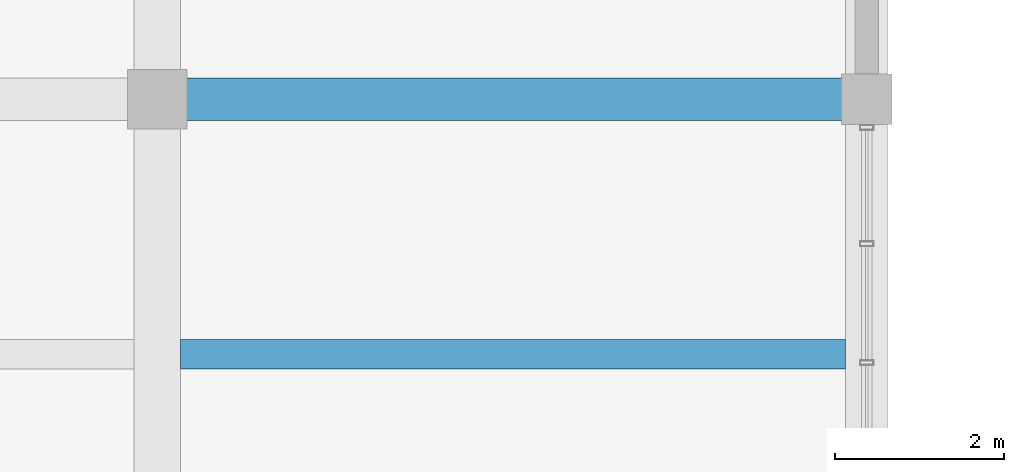
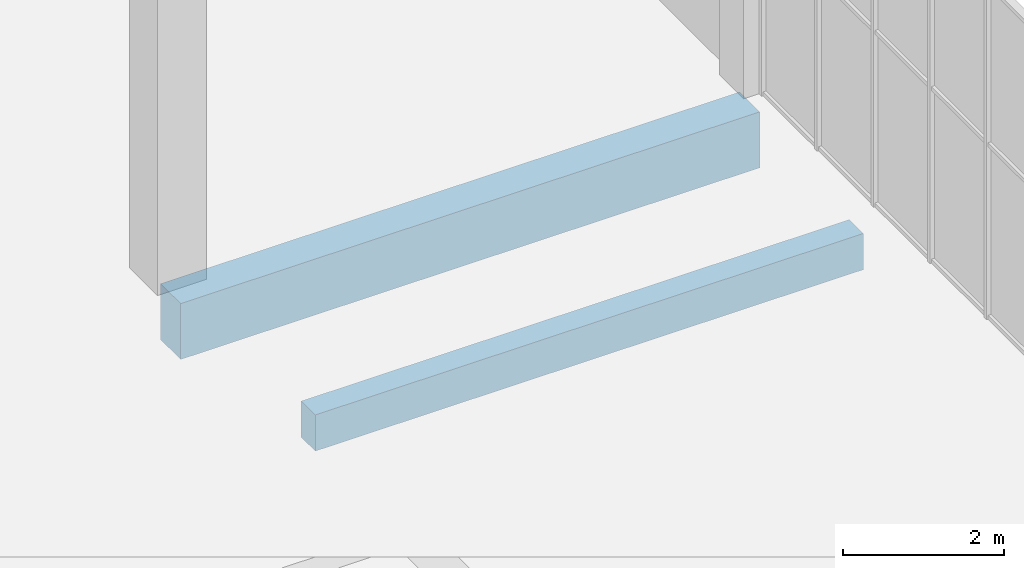
# One storey, part 17 of 132: 2 beams.
"""IFC4 building model written with IfcOpenShell, lengths in metres."""

from ifc_helpers import new_model, si_unit, direction, frame, origin, origin_2d, place, context, subcontext, project, spatial, rectangle, extrude, material, material_profile, profile_set, type_object, element, save


model = new_model("IFC4")

# Units and contexts
model_context = context("Model", 3, precision=1e-05, world=origin(), true_north=direction((0.0, 1.0)))
body_context = subcontext(model_context, "Body", "Model", "MODEL_VIEW")
ifc_project = project(units=[si_unit("LENGTHUNIT", "METRE"), si_unit("AREAUNIT", "SQUARE_METRE"), si_unit("VOLUMEUNIT", "CUBIC_METRE"), si_unit("PLANEANGLEUNIT", "RADIAN"), si_unit("MASSUNIT", "GRAM", prefix="KILO")], contexts=[model_context])

# Site, building, storey
site_placement = place(None, origin())
site = spatial("IfcSite", under=ifc_project, at=site_placement, CompositionType="ELEMENT")
building_placement = place(site_placement, origin())
building = spatial("IfcBuilding", under=site, at=building_placement, Name="Khurvash Pelagic Aquarium", CompositionType="ELEMENT")
storey_placement = place(building_placement, frame((0.0, 0.0, 5.39990234375)))
storey = spatial("IfcBuildingStorey", under=building, at=storey_placement, Name="L01", CompositionType="ELEMENT", Elevation=5.39990234375)

# Beams
ifc_material_1 = material(Name="Concrete C40/50", Category="concrete")
ifc_material_profile_1 = material_profile(ifc_material_1, rectangle(XDim=0.5, YDim=0.85009765625, at=origin_2d()), Name="RC500X850")
ifc_profile_set_1 = profile_set([ifc_material_profile_1], Name="Concrete C40/50")
beam_type_1 = type_object("IfcBeamType", Name="BM-03", PredefinedType="BEAM", material=ifc_profile_set_1)
beam_1_placement = place(storey_placement, frame((25.239990234375, 47.85009765625, -0.744873046875), z_axis=(1.0, 0.0, 0.0), x_axis=(0.0, 1.0, 0.0)))
element("IfcBeam", 1, at=beam_1_placement, inside=storey, type_object=beam_type_1, Name="L01 Primary Girder BM-03 00292", PredefinedType="BEAM", context=body_context, shape_type="SweptSolid", body=[
    extrude(rectangle(XDim=0.5, YDim=0.85009765625, at=origin_2d()), origin(), (0.0, 0.0, 1.0), 8.320068359375),
])
ifc_material_2 = material(Name="Concrete C35/45", Category="concrete")
ifc_material_profile_2 = material_profile(ifc_material_2, rectangle(XDim=0.35009765625, YDim=0.550048828125, at=origin_2d()), Name="RC350X550")
ifc_profile_set_2 = profile_set([ifc_material_profile_2], Name="Concrete C35/45")
beam_type_2 = type_object("IfcBeamType", Name="JS-01", PredefinedType="JOIST", material=ifc_profile_set_2)
beam_2_placement = place(storey_placement, frame((25.47509765625, 44.8330078125, -0.5849609375), z_axis=(1.0, 0.0, 0.0), x_axis=(0.0, 1.0, 0.0)))
element("IfcBeam", 2, at=beam_2_placement, inside=storey, type_object=beam_type_2, Name="L01 Floor Joist JS-01 00465", PredefinedType="JOIST", context=body_context, shape_type="SweptSolid", body=[
    extrude(rectangle(XDim=0.35009765625, YDim=0.550048828125, at=origin_2d()), origin(), (0.0, 0.0, 1.0), 7.875),
])

save(model, "model.ifc")
